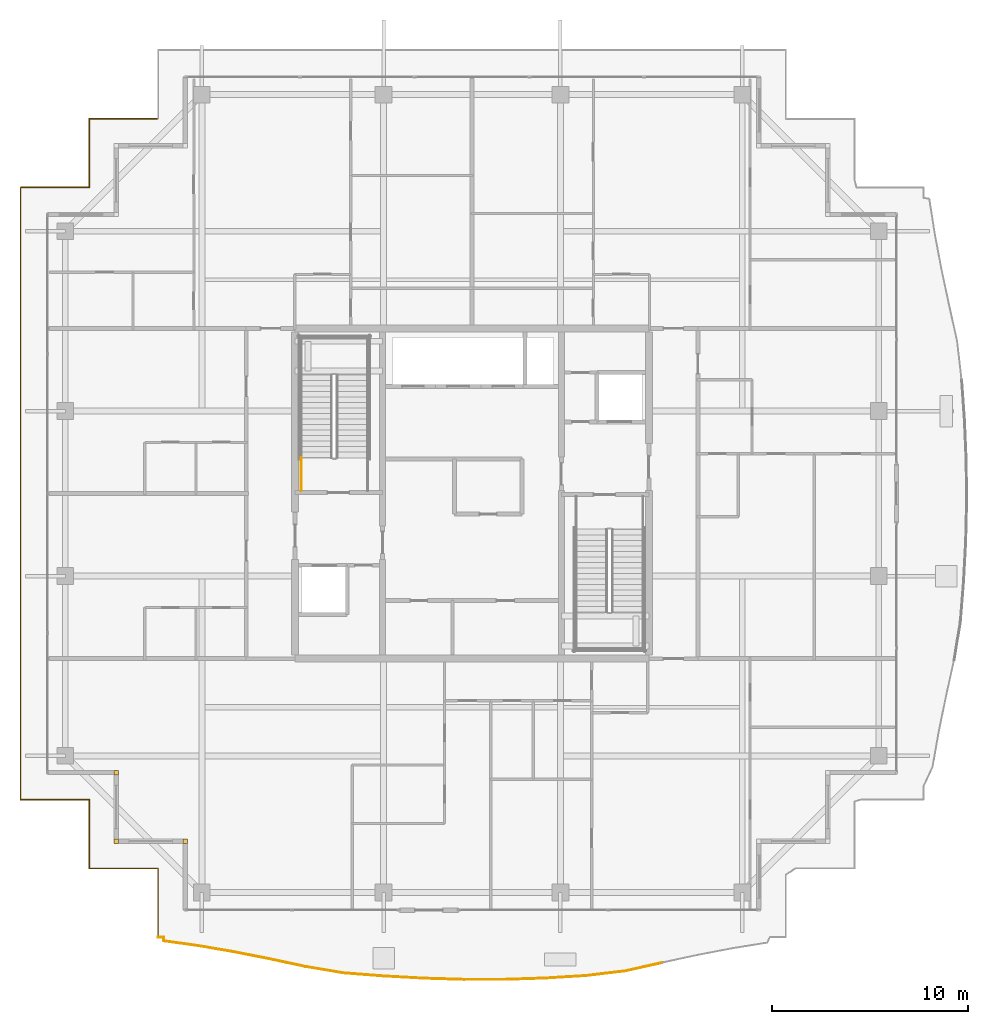
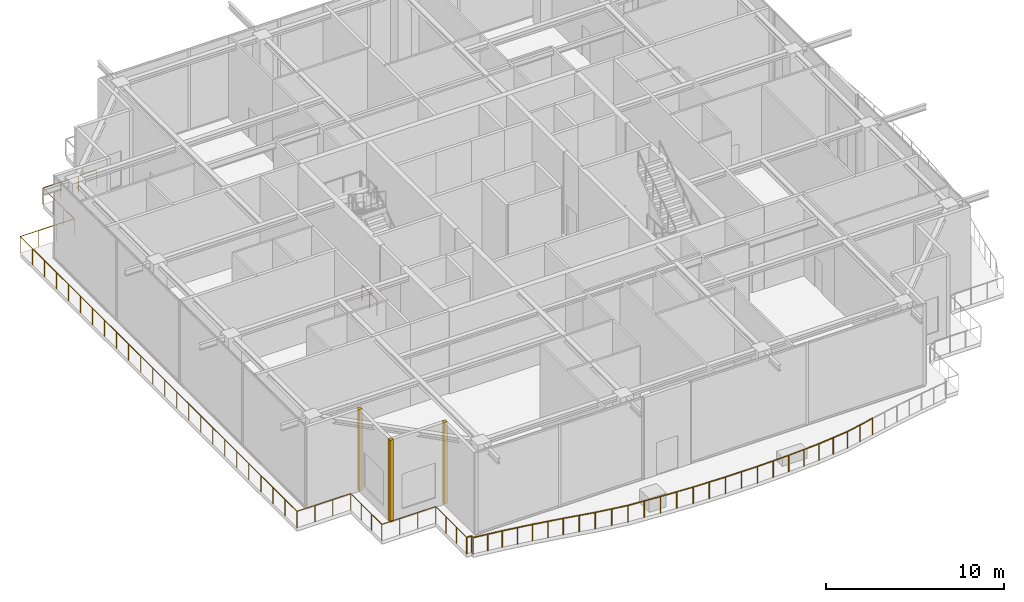
# One storey, part 34 of 38: 4 railings, 3 coverings.
"""IFC4 building model written with IfcOpenShell, lengths in metres."""

from ifc_helpers import new_model, si_unit, direction, frame, origin, origin_2d, place, context, subcontext, project, spatial, rectangle, circle, extrude, source, transform, mapped, material, layer, layer_set, type_object, element, save


model = new_model("IFC4")

# Units and contexts
model_context = context("Model", 3, precision=1e-05, world=origin(), true_north=direction((0.0, 1.0)))
body_context = subcontext(model_context, "Body", "Model", "MODEL_VIEW")
ifc_project = project(units=[si_unit("LENGTHUNIT", "METRE"), si_unit("AREAUNIT", "SQUARE_METRE"), si_unit("VOLUMEUNIT", "CUBIC_METRE"), si_unit("PLANEANGLEUNIT", "RADIAN"), si_unit("MASSUNIT", "GRAM", prefix="KILO")], contexts=[model_context])

# Site, building, storey
site_placement = place(None, origin())
site = spatial("IfcSite", under=ifc_project, at=site_placement, CompositionType="ELEMENT")
building_placement = place(site_placement, origin())
building = spatial("IfcBuilding", under=site, at=building_placement, Name="Serunith Strait Residences", CompositionType="ELEMENT")
storey_placement = place(building_placement, frame((0.0, 0.0, 342.050048828125)))
storey = spatial("IfcBuildingStorey", under=building, at=storey_placement, Name="L85", CompositionType="ELEMENT", Elevation=342.050048828125)

# Railings
ifc_material_1 = material(Name="Stainless Steel & Laminated Glass Balustrade", Category="steel")
railing_type_1 = type_object("IfcRailingType", Name="RLG-BALC-1150", PredefinedType="BALUSTRADE", material=ifc_material_1)
railing_1_placement = place(storey_placement, frame((16.419921875, 2.6201171875, -0.050048828125)))
element("IfcRailing", 1, at=railing_1_placement, inside=storey, type_object=railing_type_1, Name="L85 Swirling Balcony Perimeter Balustrade 1", PredefinedType="BALUSTRADE", context=body_context, shape_type="SweptSolid", body=[
    extrude(circle(Radius=0.02392578125, at=origin_2d()), frame((0.0, 0.001953125, 1.1259765625), z_axis=(0.0, 1.0, 0.0), x_axis=(-1.0, 0.0, 0.0)), (0.0, 0.0, 1.0), 3.49609375),
    extrude(circle(Radius=0.02392578125, at=origin_2d()), frame((-0.001953125, 3.5, 1.1259765625), z_axis=(-1.0, 0.0, 0.0), x_axis=(0.0, -1.0, 0.0)), (0.0, 0.0, 1.0), 3.49609375),
    extrude(circle(Radius=0.02392578125, at=origin_2d()), frame((-3.5, 3.501953125, 1.1259765625), z_axis=(0.0, 1.0, 0.0), x_axis=(-1.0, 0.0, 0.0)), (0.0, 0.0, 1.0), 3.49609375),
    extrude(circle(Radius=0.02392578125, at=origin_2d()), frame((-3.501953125, 7.0, 1.1259765625), z_axis=(-1.0, 0.0, 0.0), x_axis=(0.0, -1.0, 0.0)), (0.0, 0.0, 1.0), 3.49609375),
    extrude(circle(Radius=0.02392578125, at=origin_2d()), frame((-7.0, 7.001953125, 1.1259765625), z_axis=(0.0, 1.0, 0.0), x_axis=(-1.0, 0.0, 0.0)), (0.0, 0.0, 1.0), 31.156005859375),
    extrude(circle(Radius=0.02392578125, at=origin_2d()), frame((-6.998046875, 38.159912109375, 1.1259765625), z_axis=(1.0, 0.0, 0.0), x_axis=(0.0, 1.0, 0.0)), (0.0, 0.0, 1.0), 3.49609375),
    extrude(circle(Radius=0.02392578125, at=origin_2d()), frame((-3.5, 38.161865234375, 1.1259765625), z_axis=(0.0, 1.0, 0.0), x_axis=(-1.0, 0.0, 0.0)), (0.0, 0.0, 1.0), 3.49609375),
    extrude(circle(Radius=0.02392578125, at=origin_2d()), frame((-3.498046875, 41.659912109375, 1.1259765625), z_axis=(1.0, 0.0, 0.0), x_axis=(0.0, 1.0, 0.0)), (0.0, 0.0, 1.0), 3.444091796875),
    extrude(circle(Radius=0.02099609375, at=origin_2d()), origin(), (0.0, 0.0, 1.0), 1.099853515625),
    extrude(circle(Radius=0.02099609375, at=origin_2d()), frame((0.0, 1.166748046875, 0.0)), (0.0, 0.0, 1.0), 1.099853515625),
    extrude(circle(Radius=0.02099609375, at=origin_2d()), frame((0.0, 2.333251953125, 0.0)), (0.0, 0.0, 1.0), 1.099853515625),
    extrude(circle(Radius=0.02099609375, at=origin_2d()), frame((0.0, 3.5, 0.0)), (0.0, 0.0, 1.0), 1.099853515625),
    extrude(circle(Radius=0.02099609375, at=origin_2d()), frame((-1.166748046875, 3.5, 0.0)), (0.0, 0.0, 1.0), 1.099853515625),
    extrude(circle(Radius=0.02099609375, at=origin_2d()), frame((-2.333251953125, 3.5, 0.0)), (0.0, 0.0, 1.0), 1.099853515625),
    extrude(circle(Radius=0.02099609375, at=origin_2d()), frame((-3.5, 3.5, 0.0)), (0.0, 0.0, 1.0), 1.099853515625),
    extrude(circle(Radius=0.02099609375, at=origin_2d()), frame((-3.5, 4.666748046875, 0.0)), (0.0, 0.0, 1.0), 1.099853515625),
    extrude(circle(Radius=0.02099609375, at=origin_2d()), frame((-3.5, 5.833251953125, 0.0)), (0.0, 0.0, 1.0), 1.099853515625),
    extrude(circle(Radius=0.02099609375, at=origin_2d()), frame((-3.5, 7.0, 0.0)), (0.0, 0.0, 1.0), 1.099853515625),
    extrude(circle(Radius=0.02099609375, at=origin_2d()), frame((-4.666748046875, 7.0, 0.0)), (0.0, 0.0, 1.0), 1.099853515625),
    extrude(circle(Radius=0.02099609375, at=origin_2d()), frame((-5.833251953125, 7.0, 0.0)), (0.0, 0.0, 1.0), 1.099853515625),
    extrude(circle(Radius=0.02099609375, at=origin_2d()), frame((-7.0, 7.0, 0.0)), (0.0, 0.0, 1.0), 1.099853515625),
    extrude(circle(Radius=0.02099609375, at=origin_2d()), frame((-7.0, 8.354736328125, 0.0)), (0.0, 0.0, 1.0), 1.099853515625),
    extrude(circle(Radius=0.02099609375, at=origin_2d()), frame((-7.0, 9.70947265625, 0.0)), (0.0, 0.0, 1.0), 1.099853515625),
    extrude(circle(Radius=0.02099609375, at=origin_2d()), frame((-7.0, 11.064453125, 0.0)), (0.0, 0.0, 1.0), 1.099853515625),
    extrude(circle(Radius=0.02099609375, at=origin_2d()), frame((-7.0, 12.419189453125, 0.0)), (0.0, 0.0, 1.0), 1.099853515625),
    extrude(circle(Radius=0.02099609375, at=origin_2d()), frame((-7.0, 13.77392578125, 0.0)), (0.0, 0.0, 1.0), 1.099853515625),
    extrude(circle(Radius=0.02099609375, at=origin_2d()), frame((-7.0, 15.128662109375, 0.0)), (0.0, 0.0, 1.0), 1.099853515625),
    extrude(circle(Radius=0.02099609375, at=origin_2d()), frame((-7.0, 16.4833984375, 0.0)), (0.0, 0.0, 1.0), 1.099853515625),
    extrude(circle(Radius=0.02099609375, at=origin_2d()), frame((-7.0, 17.838134765625, 0.0)), (0.0, 0.0, 1.0), 1.099853515625),
    extrude(circle(Radius=0.02099609375, at=origin_2d()), frame((-7.0, 19.193115234375, 0.0)), (0.0, 0.0, 1.0), 1.099853515625),
    extrude(circle(Radius=0.02099609375, at=origin_2d()), frame((-7.0, 20.5478515625, 0.0)), (0.0, 0.0, 1.0), 1.099853515625),
    extrude(circle(Radius=0.02099609375, at=origin_2d()), frame((-7.0, 21.902587890625, 0.0)), (0.0, 0.0, 1.0), 1.099853515625),
    extrude(circle(Radius=0.02099609375, at=origin_2d()), frame((-7.0, 23.25732421875, 0.0)), (0.0, 0.0, 1.0), 1.099853515625),
    extrude(circle(Radius=0.02099609375, at=origin_2d()), frame((-7.0, 24.612060546875, 0.0)), (0.0, 0.0, 1.0), 1.099853515625),
    extrude(circle(Radius=0.02099609375, at=origin_2d()), frame((-7.0, 25.966796875, 0.0)), (0.0, 0.0, 1.0), 1.099853515625),
    extrude(circle(Radius=0.02099609375, at=origin_2d()), frame((-7.0, 27.32177734375, 0.0)), (0.0, 0.0, 1.0), 1.099853515625),
    extrude(circle(Radius=0.02099609375, at=origin_2d()), frame((-7.0, 28.676513671875, 0.0)), (0.0, 0.0, 1.0), 1.099853515625),
    extrude(circle(Radius=0.02099609375, at=origin_2d()), frame((-7.0, 30.03125, 0.0)), (0.0, 0.0, 1.0), 1.099853515625),
    extrude(circle(Radius=0.02099609375, at=origin_2d()), frame((-7.0, 31.385986328125, 0.0)), (0.0, 0.0, 1.0), 1.099853515625),
    extrude(circle(Radius=0.02099609375, at=origin_2d()), frame((-7.0, 32.74072265625, 0.0)), (0.0, 0.0, 1.0), 1.099853515625),
    extrude(circle(Radius=0.02099609375, at=origin_2d()), frame((-7.0, 34.095458984375, 0.0)), (0.0, 0.0, 1.0), 1.099853515625),
    extrude(circle(Radius=0.02099609375, at=origin_2d()), frame((-7.0, 35.450439453125, 0.0)), (0.0, 0.0, 1.0), 1.099853515625),
    extrude(circle(Radius=0.02099609375, at=origin_2d()), frame((-7.0, 36.80517578125, 0.0)), (0.0, 0.0, 1.0), 1.099853515625),
    extrude(circle(Radius=0.02099609375, at=origin_2d()), frame((-7.0, 38.159912109375, 0.0)), (0.0, 0.0, 1.0), 1.099853515625),
    extrude(circle(Radius=0.02099609375, at=origin_2d()), frame((-5.833251953125, 38.159912109375, 0.0)), (0.0, 0.0, 1.0), 1.099853515625),
    extrude(circle(Radius=0.02099609375, at=origin_2d()), frame((-4.666748046875, 38.159912109375, 0.0)), (0.0, 0.0, 1.0), 1.099853515625),
    extrude(circle(Radius=0.02099609375, at=origin_2d()), frame((-3.5, 38.159912109375, 0.0)), (0.0, 0.0, 1.0), 1.099853515625),
    extrude(circle(Radius=0.02099609375, at=origin_2d()), frame((-3.5, 39.32666015625, 0.0)), (0.0, 0.0, 1.0), 1.099853515625),
    extrude(circle(Radius=0.02099609375, at=origin_2d()), frame((-3.5, 40.4931640625, 0.0)), (0.0, 0.0, 1.0), 1.099853515625),
    extrude(circle(Radius=0.02099609375, at=origin_2d()), frame((-3.5, 41.659912109375, 0.0)), (0.0, 0.0, 1.0), 1.099853515625),
    extrude(circle(Radius=0.02099609375, at=origin_2d()), frame((-2.3505859375, 41.659912109375, 0.0)), (0.0, 0.0, 1.0), 1.099853515625),
    extrude(circle(Radius=0.02099609375, at=origin_2d()), frame((-1.201416015625, 41.659912109375, 0.0)), (0.0, 0.0, 1.0), 1.099853515625),
    extrude(circle(Radius=0.02099609375, at=origin_2d()), frame((-0.052001953125, 41.659912109375, 0.0)), (0.0, 0.0, 1.0), 1.099853515625),
])
railing_2_placement = place(storey_placement, frame((42.068115234375, 1.32080078125, -0.050048828125)))
element("IfcRailing", 2, at=railing_2_placement, inside=storey, type_object=railing_type_1, Name="L85 Swirling Balcony Perimeter Balustrade 7", PredefinedType="BALUSTRADE", context=body_context, shape_type="SweptSolid", body=[
    extrude(circle(Radius=0.02392578125, at=origin_2d()), frame((-0.001953125, -0.00048828125, 1.1259765625), z_axis=(-0.975890039017, -0.218262758498, 0.0), x_axis=(0.218262758498, -0.975890039017, 0.0)), (0.0, 0.0, 1.0), 1.91650390625),
    extrude(circle(Radius=0.02392578125, at=origin_2d()), frame((-1.876220703125, -0.41943359375, 1.1259765625), z_axis=(-0.993008368351, -0.118043976491, 0.0), x_axis=(0.118043976491, -0.993008368351, 0.0)), (0.0, 0.0, 1.0), 1.998046875),
    extrude(circle(Radius=0.02392578125, at=origin_2d()), frame((-3.8642578125, -0.65576171875, 1.1259765625), z_axis=(-0.998062767817, -0.062215042369, 0.0), x_axis=(0.062215042369, -0.998062767817, 0.0)), (0.0, 0.0, 1.0), 2.04443359375),
    extrude(circle(Radius=0.02392578125, at=origin_2d()), frame((-5.90869140625, -0.782958984375, 1.1259765625), z_axis=(-0.999474462562, -0.032416025145, 0.0), x_axis=(0.032416025145, -0.999474462562, 0.0)), (0.0, 0.0, 1.0), 2.067138671875),
    extrude(circle(Radius=0.02392578125, at=origin_2d()), frame((-7.978759765625, -0.85009765625, 1.1259765625), z_axis=(-0.999999442206, -0.00105621347, 0.0), x_axis=(0.00105621347, -0.999999442206, 0.0)), (0.0, 0.0, 1.0), 2.076416015625),
    extrude(circle(Radius=0.02392578125, at=origin_2d()), frame((-10.05908203125, -0.852294921875, 1.1259765625), z_axis=(-0.999570799695, 0.029295330641, 0.0), x_axis=(-0.029295330641, -0.999570799695, 0.0)), (0.0, 0.0, 1.0), 2.071044921875),
    extrude(circle(Radius=0.02392578125, at=origin_2d()), frame((-12.13330078125, -0.79150390625, 1.1259765625), z_axis=(-0.998436526233, 0.055897254708, 0.0), x_axis=(-0.055897254708, -0.998436526233, 0.0)), (0.0, 0.0, 1.0), 2.05322265625),
    extrude(circle(Radius=0.02099609375, at=origin_2d()), origin(), (0.0, 0.0, 1.0), 1.099853515625),
    extrude(circle(Radius=0.02099609375, at=origin_2d()), frame((-0.93701171875, -0.20947265625, 0.0)), (0.0, 0.0, 1.0), 1.099853515625),
    extrude(circle(Radius=0.02099609375, at=origin_2d()), frame((-1.874267578125, -0.419189453125, 0.0)), (0.0, 0.0, 1.0), 1.099853515625),
    extrude(circle(Radius=0.02099609375, at=origin_2d()), frame((-2.8681640625, -0.537353515625, 0.0)), (0.0, 0.0, 1.0), 1.099853515625),
    extrude(circle(Radius=0.02099609375, at=origin_2d()), frame((-3.8623046875, -0.655517578125, 0.0)), (0.0, 0.0, 1.0), 1.099853515625),
    extrude(circle(Radius=0.02099609375, at=origin_2d()), frame((-4.884521484375, -0.71923828125, 0.0)), (0.0, 0.0, 1.0), 1.099853515625),
    extrude(circle(Radius=0.02099609375, at=origin_2d()), frame((-5.90673828125, -0.782958984375, 0.0)), (0.0, 0.0, 1.0), 1.099853515625),
    extrude(circle(Radius=0.02099609375, at=origin_2d()), frame((-6.94189453125, -0.81640625, 0.0)), (0.0, 0.0, 1.0), 1.099853515625),
    extrude(circle(Radius=0.02099609375, at=origin_2d()), frame((-7.976806640625, -0.85009765625, 0.0)), (0.0, 0.0, 1.0), 1.099853515625),
    extrude(circle(Radius=0.02099609375, at=origin_2d()), frame((-9.01708984375, -0.85107421875, 0.0)), (0.0, 0.0, 1.0), 1.099853515625),
    extrude(circle(Radius=0.02099609375, at=origin_2d()), frame((-10.05712890625, -0.852294921875, 0.0)), (0.0, 0.0, 1.0), 1.099853515625),
    extrude(circle(Radius=0.02099609375, at=origin_2d()), frame((-11.09423828125, -0.82177734375, 0.0)), (0.0, 0.0, 1.0), 1.099853515625),
    extrude(circle(Radius=0.02099609375, at=origin_2d()), frame((-12.13134765625, -0.79150390625, 0.0)), (0.0, 0.0, 1.0), 1.099853515625),
    extrude(circle(Radius=0.02099609375, at=origin_2d()), frame((-13.158203125, -0.73388671875, 0.0)), (0.0, 0.0, 1.0), 1.099853515625),
    extrude(circle(Radius=0.02099609375, at=origin_2d()), frame((-14.185302734375, -0.676513671875, 0.0)), (0.0, 0.0, 1.0), 1.099853515625),
])
railing_3_placement = place(storey_placement, frame((27.8828125, 0.644287109375, -0.050048828125)))
element("IfcRailing", 3, at=railing_3_placement, inside=storey, type_object=railing_type_1, Name="L85 Swirling Balcony Perimeter Balustrade 8", PredefinedType="BALUSTRADE", context=body_context, shape_type="SweptSolid", body=[
    extrude(circle(Radius=0.02392578125, at=origin_2d()), frame((-0.001953125, 0.000244140625, 1.1259765625), z_axis=(-0.997004750366, 0.077340337132, 0.0), x_axis=(-0.077340337132, -0.997004750366, 0.0)), (0.0, 0.0, 1.0), 2.02587890625),
    extrude(circle(Radius=0.02392578125, at=origin_2d()), frame((-2.025634765625, 0.1572265625, 1.1259765625), z_axis=(-0.986208598536, 0.165507100069, 0.0), x_axis=(-0.165507100069, -0.986208598536, 0.0)), (0.0, 0.0, 1.0), 1.9609375),
    extrude(circle(Radius=0.02392578125, at=origin_2d()), frame((-3.96337890625, 0.482666015625, 1.1259765625), z_axis=(-0.97790227254, 0.209062539352, 0.0), x_axis=(-0.209062539352, -0.97790227254, 0.0)), (0.0, 0.0, 1.0), 1.89013671875),
    extrude(circle(Radius=0.02392578125, at=origin_2d()), frame((-5.815673828125, 0.878662109375, 1.1259765625), z_axis=(-0.980971461082, 0.194151983104, 0.0), x_axis=(-0.194151983104, -0.980971461082, 0.0)), (0.0, 0.0, 1.0), 1.8369140625),
    extrude(circle(Radius=0.02392578125, at=origin_2d()), frame((-7.62158203125, 1.23583984375, 1.1259765625), z_axis=(-0.98572382698, 0.168370237644, 0.0), x_axis=(-0.168370237644, -0.98572382698, 0.0)), (0.0, 0.0, 1.0), 1.7998046875),
    extrude(circle(Radius=0.02392578125, at=origin_2d()), frame((-9.399658203125, 1.53955078125, 1.1259765625), z_axis=(-0.990291662119, 0.139005121982, 0.0), x_axis=(-0.139005121982, -0.990291662119, 0.0)), (0.0, 0.0, 1.0), 1.77880859375),
    extrude(circle(Radius=0.02392578125, at=origin_2d()), frame((-11.1630859375, 1.7890625, 1.1259765625), z_axis=(0.007761732553, 0.9999698773, 0.0), x_axis=(-0.9999698773, 0.007761732553, 0.0)), (0.0, 0.0, 1.0), 0.184814453125),
    extrude(circle(Radius=0.02392578125, at=origin_2d()), frame((-11.16357421875, 1.975830078125, 1.1259765625), z_axis=(-1.0, 0.0, 0.0), x_axis=(0.0, -1.0, 0.0)), (0.0, 0.0, 1.0), 0.29736328125),
    extrude(circle(Radius=0.02099609375, at=origin_2d()), origin(), (0.0, 0.0, 1.0), 1.099853515625),
    extrude(circle(Radius=0.02099609375, at=origin_2d()), frame((-1.01171875, 0.07861328125, 0.0)), (0.0, 0.0, 1.0), 1.099853515625),
    extrude(circle(Radius=0.02099609375, at=origin_2d()), frame((-2.023681640625, 0.156982421875, 0.0)), (0.0, 0.0, 1.0), 1.099853515625),
    extrude(circle(Radius=0.02099609375, at=origin_2d()), frame((-2.99267578125, 0.319580078125, 0.0)), (0.0, 0.0, 1.0), 1.099853515625),
    extrude(circle(Radius=0.02099609375, at=origin_2d()), frame((-3.96142578125, 0.482177734375, 0.0)), (0.0, 0.0, 1.0), 1.099853515625),
    extrude(circle(Radius=0.02099609375, at=origin_2d()), frame((-4.8876953125, 0.68017578125, 0.0)), (0.0, 0.0, 1.0), 1.099853515625),
    extrude(circle(Radius=0.02099609375, at=origin_2d()), frame((-5.813720703125, 0.878173828125, 0.0)), (0.0, 0.0, 1.0), 1.099853515625),
    extrude(circle(Radius=0.02099609375, at=origin_2d()), frame((-6.716796875, 1.056884765625, 0.0)), (0.0, 0.0, 1.0), 1.099853515625),
    extrude(circle(Radius=0.02099609375, at=origin_2d()), frame((-7.61962890625, 1.235595703125, 0.0)), (0.0, 0.0, 1.0), 1.099853515625),
    extrude(circle(Radius=0.02099609375, at=origin_2d()), frame((-8.5087890625, 1.387451171875, 0.0)), (0.0, 0.0, 1.0), 1.099853515625),
    extrude(circle(Radius=0.02099609375, at=origin_2d()), frame((-9.397705078125, 1.539306640625, 0.0)), (0.0, 0.0, 1.0), 1.099853515625),
    extrude(circle(Radius=0.02099609375, at=origin_2d()), frame((-10.2802734375, 1.6630859375, 0.0)), (0.0, 0.0, 1.0), 1.099853515625),
    extrude(circle(Radius=0.02099609375, at=origin_2d()), frame((-11.1630859375, 1.787109375, 0.0)), (0.0, 0.0, 1.0), 1.099853515625),
    extrude(circle(Radius=0.02099609375, at=origin_2d()), frame((-11.16162109375, 1.975830078125, 0.0)), (0.0, 0.0, 1.0), 1.099853515625),
    extrude(circle(Radius=0.02099609375, at=origin_2d()), frame((-11.462890625, 1.975830078125, 0.0)), (0.0, 0.0, 1.0), 1.099853515625),
])
ifc_material_2 = material(Name="Brushed stainless steel 316L", Category="steel")
railing_type_2 = type_object("IfcRailingType", Name="RLG-STAIR-GUARD", PredefinedType="BALUSTRADE", material=ifc_material_2)
railing_4_placement = place(storey_placement, frame((23.699951171875, 25.35009765625, 0.0)))
element("IfcRailing", 4, at=railing_4_placement, inside=storey, type_object=railing_type_2, Name="L85 ST-1 stair guard 9", PredefinedType="BALUSTRADE", context=body_context, shape_type="SweptSolid", body=[
    extrude(circle(Radius=0.02392578125, at=origin_2d()), frame((0.0, 0.001953125, 1.076171875), z_axis=(0.0, 1.0, 0.0), x_axis=(-1.0, 0.0, 0.0)), (0.0, 0.0, 1.0), 1.676025390625),
    extrude(circle(Radius=0.02099609375, at=origin_2d()), origin(), (0.0, 0.0, 1.0), 1.050048828125),
    extrude(circle(Radius=0.02099609375, at=origin_2d()), frame((0.0, 0.83984375, 0.0)), (0.0, 0.0, 1.0), 1.050048828125),
    extrude(circle(Radius=0.02099609375, at=origin_2d()), frame((0.0, 1.679931640625, 0.0)), (0.0, 0.0, 1.0), 1.050048828125),
])

# Coverings
ifc_material_3 = material(Name="Pale-Champagne Anodised Aluminium", Category="aluminium")
ifc_layer = layer(ifc_material_3, 0.219970703125, Name="Pale-Champagne Anodised Aluminium")
ifc_layer_set = layer_set([ifc_layer], Name="Pale-Champagne Anodised Aluminium")
covering_type = type_object("IfcCoveringType", Name="COV-CORN-TRIM", PredefinedType="CLADDING", material=ifc_layer_set)
shared_shape = source(origin(), body_context, "Body", "SweptSolid", [
    extrude(rectangle(XDim=0.221923828125, YDim=0.221923828125, at=origin_2d()), origin(), (0.0, 0.0, 1.0), 5.625),
])
for number, where, z_axis, x_axis, name in (
    (5, (14.300048828125, 11.0, 0.0), (0.0, 0.0, 1.0), (1.0, 0.0, 0.0), "L85 Girih Serrated Corner Trim Post 17"),
    (6, (14.300048828125, 7.5, 0.0), (0.0, 0.0, 1.0), (1.0, 0.0, 0.0), "L85 Girih Serrated Corner Trim Post 18"),
    (7, (17.800048828125, 7.5, 0.0), (0.0, 0.0, 1.0), (1.0, 0.0, 0.0), "L85 Girih Serrated Corner Trim Post 19"),
):
    element("IfcCovering", number, at=place(storey_placement, frame(where, z_axis=z_axis, x_axis=x_axis)), inside=storey, type_object=covering_type, Name=name, PredefinedType="CLADDING", context=body_context, shape_type="MappedRepresentation", body=[
        mapped(shared_shape, transform((0.0, 0.0, 0.0), scale=1.0)),
    ])

save(model, "model.ifc")
